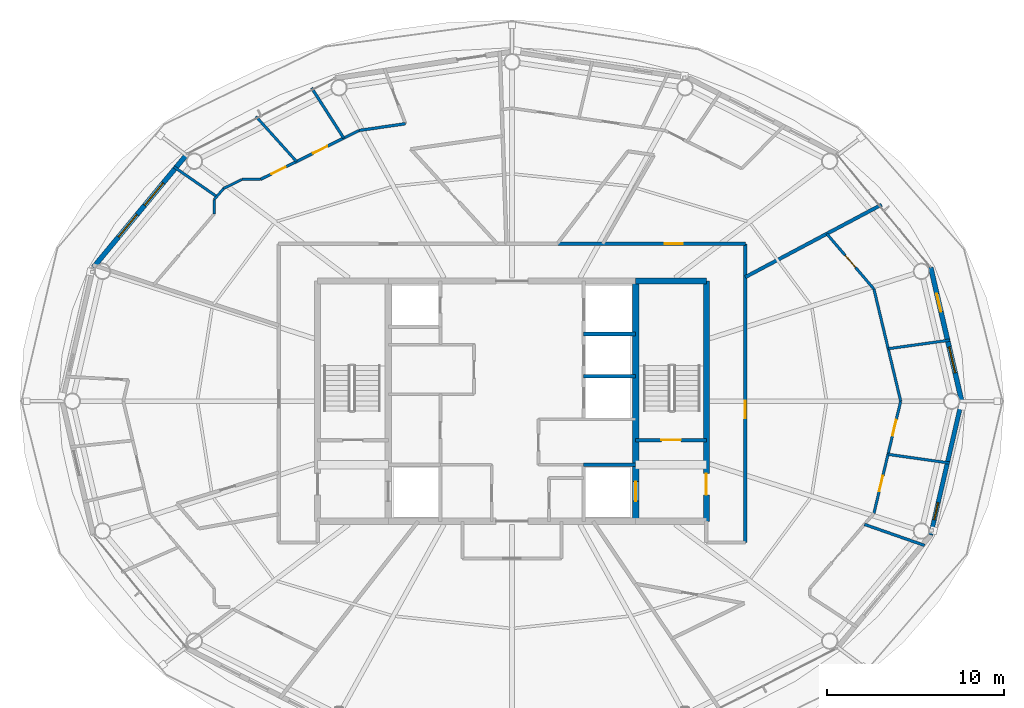
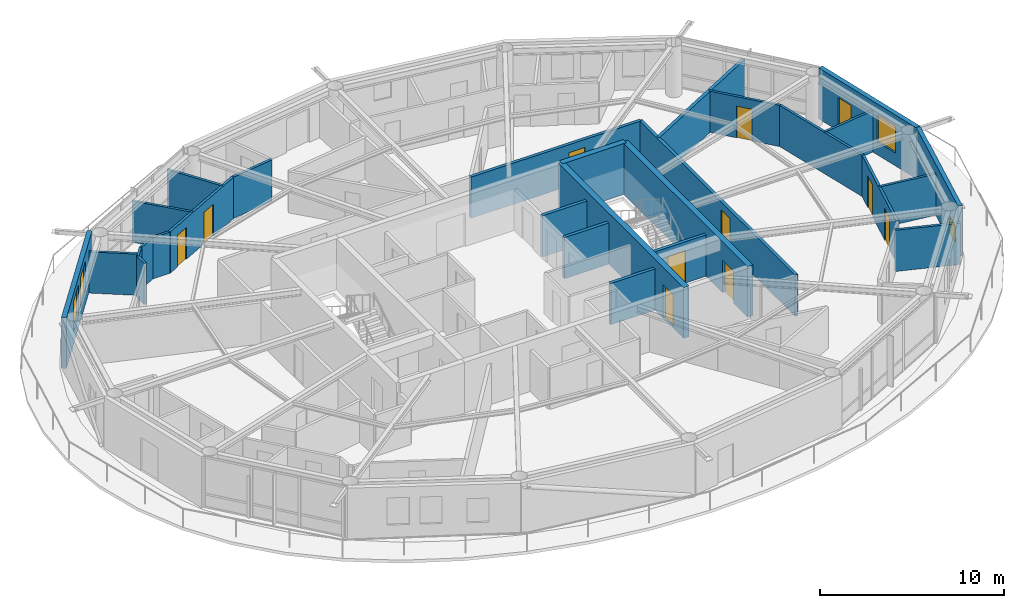
# One storey, part 18 of 22: 28 walls, 11 doors, 4 windows, 15 openings.
"""IFC4 building model written with IfcOpenShell, lengths in metres."""

from ifc_helpers import new_model, si_unit, direction, frame, frame_2d, origin, place, context, subcontext, project, spatial, rectangle, extrude, material, layer, layer_set, type_object, element, fill, save


model = new_model("IFC4")

# Units and contexts
model_context = context("Model", 3, precision=1e-05, world=origin(), true_north=direction((0.0, 1.0)))
body_context = subcontext(model_context, "Body", "Model", "MODEL_VIEW")
ifc_project = project(units=[si_unit("LENGTHUNIT", "METRE"), si_unit("AREAUNIT", "SQUARE_METRE"), si_unit("VOLUMEUNIT", "CUBIC_METRE"), si_unit("PLANEANGLEUNIT", "RADIAN"), si_unit("MASSUNIT", "GRAM", prefix="KILO")], contexts=[model_context])

# Site, building, storey
site_placement = place(None, origin())
site = spatial("IfcSite", under=ifc_project, at=site_placement, CompositionType="ELEMENT")
building_placement = place(site_placement, origin())
building = spatial("IfcBuilding", under=site, at=building_placement, Name="Sarneth Arch Tower", CompositionType="ELEMENT")
storey_placement = place(building_placement, frame((0.0, 0.0, 291.0)))
storey = spatial("IfcBuildingStorey", under=building, at=storey_placement, Name="L75", CompositionType="ELEMENT", Elevation=291.0)

# Wall
ifc_material_1 = material(Name="Concrete C50/60", Category="concrete")
ifc_layer_1 = layer(ifc_material_1, 0.35009765625)
ifc_layer_set_1 = layer_set([ifc_layer_1], Name="Concrete C50/60")
wall_type_1 = type_object("IfcWallType", Name="WALL-CORE-350", PredefinedType="SHEAR", material=ifc_layer_set_1)
wall_1_placement = place(storey_placement, frame((55.0, 48.800048828125, 0.0), z_axis=(0.0, 0.0, 1.0), x_axis=(1.0, 0.0, 0.0)))
element("IfcWall", 1, at=wall_1_placement, inside=storey, type_object=wall_type_1, Name="L75 Core shear wall N-E", PredefinedType="SHEAR", context=body_context, shape_type="SweptSolid", body=[
    extrude(rectangle(XDim=4.0, YDim=0.35009765625, at=frame_2d((2.0, 0.0))), origin(), (0.0, 0.0, 1.0), 3.3701171875),
])

# Wall, opening, door
wall_2_placement = place(storey_placement, frame((59.0, 35.199951171875, 0.0), z_axis=(0.0, 0.0, 1.0), x_axis=(0.0, 1.0, 0.0)))
wall_2 = element("IfcWall", 2, at=wall_2_placement, inside=storey, type_object=wall_type_1, Name="L75 Core shear wall E", PredefinedType="SHEAR", context=body_context, shape_type="SweptSolid", body=[
    extrude(rectangle(XDim=13.60009765625, YDim=0.35009765625, at=frame_2d((6.800048828125, 0.0))), origin(), (0.0, 0.0, 1.0), 3.3701171875),
])
opening_1_placement = place(wall_2_placement, frame((1.5, 0.0, 0.0)))
opening_1 = element("IfcOpeningElement", 3, at=opening_1_placement, cuts=wall_2, Name="Opening FD-02", PredefinedType="OPENING", context=body_context, shape_type="SweptSolid", body=[
    extrude(rectangle(XDim=1.199951171875, YDim=2.14990234375, at=frame_2d((0.60009765625, 1.074951171875))), frame((0.0, 0.18505859375, 0.0), z_axis=(0.0, -1.0, 0.0), x_axis=(1.0, 0.0, 0.0)), (0.0, 0.0, 1.0), 0.3701171875),
])
ifc_material_2 = material(Name="Galvanised Steel S275 fire door set", Category="steel")
door_type_1 = type_object("IfcDoorType", Name="DR-FD90-1200", OperationType="SINGLE_SWING_LEFT", PredefinedType="DOOR", material=ifc_material_2)
door_1_placement = place(opening_1_placement, origin())
door_1 = element("IfcDoor", 4, at=door_1_placement, inside=storey, type_object=door_type_1, Name="L75 Firefighting lobby 2 exit door", OperationType="SINGLE_SWING_RIGHT", OverallHeight=2.14990234375, OverallWidth=1.199951171875, PredefinedType="DOOR", context=body_context, shape_type="SweptSolid", body=[
    extrude(rectangle(XDim=1.199951171875, YDim=2.14990234375, at=frame_2d((0.60009765625, 1.074951171875))), frame((0.0, 0.02490234375, 0.0), z_axis=(0.0, -1.0, 0.0), x_axis=(1.0, 0.0, 0.0)), (0.0, 0.0, 1.0), 0.050048828125),
])
fill(opening_1, door_1)

wall_3_placement = place(storey_placement, frame((55.0, 35.199951171875, 0.0), z_axis=(0.0, 0.0, 1.0), x_axis=(0.0, 1.0, 0.0)))
wall_3 = element("IfcWall", 5, at=wall_3_placement, inside=storey, type_object=wall_type_1, Name="L75 Core shear wall WEB-E", PredefinedType="SHEAR", context=body_context, shape_type="SweptSolid", body=[
    extrude(rectangle(XDim=13.60009765625, YDim=0.35009765625, at=frame_2d((6.800048828125, 0.0))), origin(), (0.0, 0.0, 1.0), 3.3701171875),
])
opening_2_placement = place(wall_3_placement, frame((1.14990234375, 0.0, 0.0)))
opening_2 = element("IfcOpeningElement", 6, at=opening_2_placement, cuts=wall_3, Name="Opening LD-1", PredefinedType="OPENING", context=body_context, shape_type="SweptSolid", body=[
    extrude(rectangle(XDim=1.10009765625, YDim=2.199951171875, at=frame_2d((0.550048828125, 1.10009765625))), frame((0.0, 0.18505859375, 0.0), z_axis=(0.0, -1.0, 0.0), x_axis=(1.0, 0.0, 0.0)), (0.0, 0.0, 1.0), 0.3701171875),
])
ifc_material_3 = material(Name="Brushed Stainless Steel 304 lift landing door", Category="steel")
door_type_2 = type_object("IfcDoorType", Name="DR-LIFT-SLIDE-1100", OperationType="SLIDING_TO_LEFT", PredefinedType="DOOR", material=ifc_material_3)
door_2_placement = place(opening_2_placement, origin())
door_2 = element("IfcDoor", 7, at=door_2_placement, inside=storey, type_object=door_type_2, Name="L75 Firefighting lift landing door FL-2", OperationType="SLIDING_TO_RIGHT", OverallHeight=2.199951171875, OverallWidth=1.10009765625, PredefinedType="DOOR", context=body_context, shape_type="SweptSolid", body=[
    extrude(rectangle(XDim=1.10009765625, YDim=2.199951171875, at=frame_2d((0.550048828125, 1.10009765625))), frame((0.0, 0.02490234375, 0.0), z_axis=(0.0, -1.0, 0.0), x_axis=(1.0, 0.0, 0.0)), (0.0, 0.0, 1.0), 0.050048828125),
])
fill(opening_2, door_2)

ifc_material_4 = material(Name="Double steel-stud corridor fire wall", Category="steel")
ifc_layer_2 = layer(ifc_material_4, 0.18994140625)
ifc_layer_set_2 = layer_set([ifc_layer_2], Name="Double steel-stud corridor fire wall")
wall_type_2 = type_object("IfcWallType", Name="WALL-CORR-190", PredefinedType="PARTITIONING", material=ifc_layer_set_2)
wall_4_placement = place(storey_placement, frame((61.199951171875, 50.89990234375, 0.0), z_axis=(0.0, 0.0, 1.0), x_axis=(0.0, -1.0, 0.0)))
wall_4 = element("IfcWall", 8, at=wall_4_placement, inside=storey, type_object=wall_type_2, Name="L75 Interior partition W-L75-TP-013", PredefinedType="PARTITIONING", context=body_context, shape_type="SweptSolid", body=[
    extrude(rectangle(XDim=16.89990234375, YDim=0.18994140625, at=frame_2d((8.449951171875, 0.0))), origin(), (0.0, 0.0, 1.0), 2.72998046875),
])
opening_3_placement = place(wall_4_placement, frame((8.87255859375, 0.0, 0.0)))
opening_3 = element("IfcOpeningElement", 9, at=opening_3_placement, cuts=wall_4, Name="Opening FD-08", PredefinedType="OPENING", context=body_context, shape_type="SweptSolid", body=[
    extrude(rectangle(XDim=1.0, YDim=2.199951171875, at=frame_2d((0.5, 1.10009765625))), frame((0.0, 0.10498046875, 0.0), z_axis=(0.0, -1.0, 0.0), x_axis=(1.0, 0.0, 0.0)), (0.0, 0.0, 1.0), 0.2099609375),
])
ifc_material_5 = material(Name="Hardwood timber acoustic fire door", Category="wood")
door_type_3 = type_object("IfcDoorType", Name="DR-FD60-1000", OperationType="SINGLE_SWING_LEFT", PredefinedType="DOOR", material=ifc_material_5)
door_3_placement = place(opening_3_placement, origin())
door_3 = element("IfcDoor", 10, at=door_3_placement, inside=storey, type_object=door_type_3, Name="L75 Interior door DR-L75-U5-ENT", OperationType="SINGLE_SWING_LEFT", OverallHeight=2.199951171875, OverallWidth=1.0, PredefinedType="DOOR", context=body_context, shape_type="SweptSolid", body=[
    extrude(rectangle(XDim=1.0, YDim=2.199951171875, at=frame_2d((0.5, 1.10009765625))), frame((0.0, 0.02490234375, 0.0), z_axis=(0.0, -1.0, 0.0), x_axis=(1.0, 0.0, 0.0)), (0.0, 0.0, 1.0), 0.050048828125),
])
fill(opening_3, door_3)

wall_5_placement = place(storey_placement, frame((50.515380859375, 50.89990234375, 0.0), z_axis=(0.0, 0.0, 1.0), x_axis=(1.0, 0.0, 0.0)))
wall_5 = element("IfcWall", 11, at=wall_5_placement, inside=storey, type_object=wall_type_2, Name="L75 Interior partition W-L75-TP-002", PredefinedType="PARTITIONING", context=body_context, shape_type="SweptSolid", body=[
    extrude(rectangle(XDim=10.6845703125, YDim=0.18994140625, at=frame_2d((5.34228515625, 0.0))), origin(), (0.0, 0.0, 1.0), 2.72998046875),
])
opening_4_placement = place(wall_5_placement, frame((6.135498046875, 0.0, 0.0)))
opening_4 = element("IfcOpeningElement", 12, at=opening_4_placement, cuts=wall_5, Name="Opening FD-08", PredefinedType="OPENING", context=body_context, shape_type="SweptSolid", body=[
    extrude(rectangle(XDim=1.0, YDim=2.199951171875, at=frame_2d((0.5, 1.10009765625))), frame((0.0, 0.10498046875, 0.0), z_axis=(0.0, -1.0, 0.0), x_axis=(1.0, 0.0, 0.0)), (0.0, 0.0, 1.0), 0.2099609375),
])
door_4_placement = place(opening_4_placement, origin())
door_4 = element("IfcDoor", 13, at=door_4_placement, inside=storey, type_object=door_type_3, Name="L75 Interior door DR-L75-U1-ENT", OperationType="SINGLE_SWING_LEFT", OverallHeight=2.199951171875, OverallWidth=1.0, PredefinedType="DOOR", context=body_context, shape_type="SweptSolid", body=[
    extrude(rectangle(XDim=1.0, YDim=2.199951171875, at=frame_2d((0.5, 1.10009765625))), frame((0.0, 0.02490234375, 0.0), z_axis=(0.0, -1.0, 0.0), x_axis=(1.0, 0.0, 0.0)), (0.0, 0.0, 1.0), 0.050048828125),
])
fill(opening_4, door_4)

# Wall, opening, window
ifc_material_6 = material(Name="Extruded terracotta rainscreen on Concrete C40/50 backing", Category="masonry")
ifc_layer_3 = layer(ifc_material_6, 0.25)
ifc_layer_set_3 = layer_set([ifc_layer_3], Name="Extruded terracotta rainscreen on Concrete C40/50 backing")
wall_type_3 = type_object("IfcWallType", Name="WALL-EXT-SPAND-250", PredefinedType="SOLIDWALL", material=ifc_layer_set_3)
wall_6_placement = place(storey_placement, frame((71.69384765625, 34.430419921875, 0.0), z_axis=(0.0, 0.0, 1.0), x_axis=(0.225635078214, 0.974211892495, 0.0)))
wall_6 = element("IfcWall", 14, at=wall_6_placement, inside=storey, type_object=wall_type_3, Name="L75 Terracotta perimeter wall 16", PredefinedType="SOLIDWALL", context=body_context, shape_type="SweptSolid", body=[
    extrude(rectangle(XDim=7.77001953125, YDim=0.25, at=frame_2d((3.885009765625, 0.0))), origin(), (0.0, 0.0, 1.0), 3.3701171875),
])
opening_5_placement = place(wall_6_placement, frame((0.877685546875, 0.0, 0.35009765625)))
opening_5 = element("IfcOpeningElement", 15, at=opening_5_placement, cuts=wall_6, Name="Opening W-14", PredefinedType="OPENING", context=body_context, shape_type="SweptSolid", body=[
    extrude(rectangle(XDim=1.0, YDim=1.050048828125, at=frame_2d((0.5, 0.52490234375))), frame((0.0, 0.135009765625, 0.0), z_axis=(0.0, -1.0, 0.0), x_axis=(1.0, 0.0, 0.0)), (0.0, 0.0, 1.0), 0.27001953125),
])
ifc_material_7 = material(Name="Thermally broken Aluminium 6063-T6 and low-e laminated IGU", Category="aluminium")
window_type_1 = type_object("IfcWindowType", Name="WIN-TWR-1000x1050", PartitioningType="SINGLE_PANEL", PredefinedType="WINDOW", material=ifc_material_7)
window_1_placement = place(opening_5_placement, origin())
window_1 = element("IfcWindow", 16, at=window_1_placement, inside=storey, type_object=window_type_1, Name="L75 Dwelling bedroom window 04", OverallHeight=1.050048828125, OverallWidth=1.0, PartitioningType="SINGLE_PANEL", PredefinedType="WINDOW", context=body_context, shape_type="SweptSolid", body=[
    extrude(rectangle(XDim=1.0, YDim=1.050048828125, at=frame_2d((0.5, 0.52490234375))), frame((0.0, 0.030029296875, 0.0), z_axis=(0.0, -1.0, 0.0), x_axis=(1.0, 0.0, 0.0)), (0.0, 0.0, 1.0), 0.06005859375),
])
fill(opening_5, window_1)

# Wall, openings, door, window
ifc_material_8 = material(Name="Extruded terracotta rainscreen on Concrete C40/50 backing", Category="masonry")
ifc_layer_4 = layer(ifc_material_8, 0.280029296875)
ifc_layer_set_4 = layer_set([ifc_layer_4], Name="Extruded terracotta rainscreen on Concrete C40/50 backing")
wall_type_4 = type_object("IfcWallType", Name="WALL-EXT-TERRA-280", PredefinedType="SOLIDWALL", material=ifc_layer_set_4)
wall_7_placement = place(storey_placement, frame((73.447021484375, 42.0, 0.0), z_axis=(0.0, 0.0, 1.0), x_axis=(-0.225635078214, 0.974211892495, 0.0)))
wall_7 = element("IfcWall", 17, at=wall_7_placement, inside=storey, type_object=wall_type_4, Name="L75 Terracotta perimeter wall 01", PredefinedType="SOLIDWALL", context=body_context, shape_type="SweptSolid", body=[
    extrude(rectangle(XDim=7.77001953125, YDim=0.280029296875, at=frame_2d((3.885009765625, 0.0))), origin(), (0.0, 0.0, 1.0), 3.3701171875),
])
opening_6_placement = place(wall_7_placement, frame((1.646728515625, 0.0, 0.85009765625)))
opening_6 = element("IfcOpeningElement", 18, at=opening_6_placement, cuts=wall_7, Name="Opening W-07", PredefinedType="OPENING", context=body_context, shape_type="SweptSolid", body=[
    extrude(rectangle(XDim=1.5, YDim=1.800048828125, at=frame_2d((0.75, 0.89990234375))), frame((0.0, 0.14990234375, 0.0), z_axis=(0.0, -1.0, 0.0), x_axis=(1.0, 0.0, 0.0)), (0.0, 0.0, 1.0), 0.300048828125),
])
opening_7_placement = place(wall_7_placement, frame((5.192138671875, 0.0, 0.0)))
opening_7 = element("IfcOpeningElement", 19, at=opening_7_placement, cuts=wall_7, Name="Opening BD-4", PredefinedType="OPENING", context=body_context, shape_type="SweptSolid", body=[
    extrude(rectangle(XDim=1.050048828125, YDim=2.199951171875, at=frame_2d((0.52490234375, 1.10009765625))), frame((0.0, 0.14990234375, 0.0), z_axis=(0.0, -1.0, 0.0), x_axis=(1.0, 0.0, 0.0)), (0.0, 0.0, 1.0), 0.300048828125),
])
ifc_material_9 = material(Name="Thermally broken Aluminium 6063-T6 and laminated safety glass", Category="aluminium")
door_type_4 = type_object("IfcDoorType", Name="DR-BALC-GLZ-1050", OperationType="SINGLE_SWING_RIGHT", PredefinedType="DOOR", material=ifc_material_9)
door_5_placement = place(opening_7_placement, origin())
door_5 = element("IfcDoor", 20, at=door_5_placement, inside=storey, type_object=door_type_4, Name="L75 Balcony glazed door 01", OperationType="SINGLE_SWING_RIGHT", OverallHeight=2.199951171875, OverallWidth=1.050048828125, PredefinedType="DOOR", context=body_context, shape_type="SweptSolid", body=[
    extrude(rectangle(XDim=1.050048828125, YDim=2.199951171875, at=frame_2d((0.52490234375, 1.10009765625))), frame((0.0, 0.02490234375, 0.0), z_axis=(0.0, -1.0, 0.0), x_axis=(1.0, 0.0, 0.0)), (0.0, 0.0, 1.0), 0.050048828125),
])
fill(opening_7, door_5)
ifc_material_10 = material(Name="Thermally broken Aluminium 6063-T6 and low-e laminated IGU", Category="aluminium")
window_type_2 = type_object("IfcWindowType", Name="WIN-TWR-1500x1800", PartitioningType="SINGLE_PANEL", PredefinedType="WINDOW", material=ifc_material_10)
window_2_placement = place(opening_6_placement, origin())
window_2 = element("IfcWindow", 21, at=window_2_placement, inside=storey, type_object=window_type_2, Name="L75 Exterior window 01A", OverallHeight=1.800048828125, OverallWidth=1.5, PartitioningType="SINGLE_PANEL", PredefinedType="WINDOW", context=body_context, shape_type="SweptSolid", body=[
    extrude(rectangle(XDim=1.5, YDim=1.800048828125, at=frame_2d((0.75, 0.89990234375))), frame((0.0, 0.030029296875, 0.0), z_axis=(0.0, -1.0, 0.0), x_axis=(1.0, 0.0, 0.0)), (0.0, 0.0, 1.0), 0.06005859375),
])
fill(opening_6, window_2)

# Wall, openings, windows
wall_8_placement = place(storey_placement, frame((29.617431640625, 55.986572265625, 0.0), z_axis=(0.0, 0.0, 1.0), x_axis=(-0.63761509934, -0.770355103243, 0.0)))
wall_8 = element("IfcWall", 22, at=wall_8_placement, inside=storey, type_object=wall_type_4, Name="L75 Terracotta perimeter wall 07", PredefinedType="SOLIDWALL", context=body_context, shape_type="SweptSolid", body=[
    extrude(rectangle(XDim=8.329833984375, YDim=0.280029296875, at=frame_2d((4.1650390625, 0.0))), origin(), (0.0, 0.0, 1.0), 3.3701171875),
])
opening_8_placement = place(wall_8_placement, frame((2.126220703125, 0.0, 0.85009765625)))
opening_8 = element("IfcOpeningElement", 23, at=opening_8_placement, cuts=wall_8, Name="Opening W-05", PredefinedType="OPENING", context=body_context, shape_type="SweptSolid", body=[
    extrude(rectangle(XDim=1.64990234375, YDim=2.0, at=frame_2d((0.824951171875, 1.0))), frame((0.0, 0.14990234375, 0.0), z_axis=(0.0, -1.0, 0.0), x_axis=(1.0, 0.0, 0.0)), (0.0, 0.0, 1.0), 0.300048828125),
])
opening_9_placement = place(wall_8_placement, frame((4.4462890625, 0.0, 0.85009765625)))
opening_9 = element("IfcOpeningElement", 24, at=opening_9_placement, cuts=wall_8, Name="Opening W-05", PredefinedType="OPENING", context=body_context, shape_type="SweptSolid", body=[
    extrude(rectangle(XDim=1.64990234375, YDim=2.0, at=frame_2d((0.824951171875, 1.0))), frame((0.0, 0.14990234375, 0.0), z_axis=(0.0, -1.0, 0.0), x_axis=(1.0, 0.0, 0.0)), (0.0, 0.0, 1.0), 0.300048828125),
])
ifc_material_11 = material(Name="Thermally broken Aluminium 6063-T6 and low-e laminated IGU", Category="aluminium")
window_type_3 = type_object("IfcWindowType", Name="WIN-TWR-1650x2000", PartitioningType="DOUBLE_PANEL_VERTICAL", PredefinedType="WINDOW", material=ifc_material_11)
window_3_placement = place(opening_8_placement, origin())
window_3 = element("IfcWindow", 25, at=window_3_placement, inside=storey, type_object=window_type_3, Name="L75 Exterior window 07A", OverallHeight=2.0, OverallWidth=1.64990234375, PartitioningType="SINGLE_PANEL", PredefinedType="WINDOW", context=body_context, shape_type="SweptSolid", body=[
    extrude(rectangle(XDim=1.64990234375, YDim=2.0, at=frame_2d((0.824951171875, 1.0))), frame((0.0, 0.030029296875, 0.0), z_axis=(0.0, -1.0, 0.0), x_axis=(1.0, 0.0, 0.0)), (0.0, 0.0, 1.0), 0.06005859375),
])
fill(opening_8, window_3)
window_4_placement = place(opening_9_placement, origin())
window_4 = element("IfcWindow", 26, at=window_4_placement, inside=storey, type_object=window_type_3, Name="L75 Exterior window 07B", OverallHeight=2.0, OverallWidth=1.64990234375, PartitioningType="SINGLE_PANEL", PredefinedType="WINDOW", context=body_context, shape_type="SweptSolid", body=[
    extrude(rectangle(XDim=1.64990234375, YDim=2.0, at=frame_2d((0.824951171875, 1.0))), frame((0.0, 0.030029296875, 0.0), z_axis=(0.0, -1.0, 0.0), x_axis=(1.0, 0.0, 0.0)), (0.0, 0.0, 1.0), 0.06005859375),
])
fill(opening_9, window_4)

# Walls
ifc_material_12 = material(Name="Apartment internal stud partition", Category="gypsum")
ifc_layer_5 = layer(ifc_material_12, 0.139892578125)
ifc_layer_set_5 = layer_set([ifc_layer_5], Name="Apartment internal stud partition")
wall_type_5 = type_object("IfcWallType", Name="WALL-PART-140", PredefinedType="PARTITIONING", material=ifc_layer_set_5)
wall_9_placement = place(storey_placement, frame((32.710693359375, 54.550048828125, 0.0), z_axis=(0.0, 0.0, 1.0), x_axis=(-0.895409226325, -0.445244109912, 0.0)))
element("IfcWall", 27, at=wall_9_placement, inside=storey, type_object=wall_type_5, Name="L75 Interior partition W-L75-TP-045", PredefinedType="PARTITIONING", context=body_context, shape_type="SweptSolid", body=[
    extrude(rectangle(XDim=1.14111328125, YDim=0.139892578125, at=frame_2d((0.570556640625, 0.0))), origin(), (0.0, 0.0, 1.0), 2.72998046875),
])
wall_10_placement = place(storey_placement, frame((33.773193359375, 54.550048828125, 0.0), z_axis=(0.0, 0.0, 1.0), x_axis=(-1.0, 0.0, 0.0)))
element("IfcWall", 28, at=wall_10_placement, inside=storey, type_object=wall_type_5, Name="L75 Interior partition W-L75-TP-044", PredefinedType="PARTITIONING", context=body_context, shape_type="SweptSolid", body=[
    extrude(rectangle(XDim=1.0625, YDim=0.139892578125, at=frame_2d((0.53125, 0.0))), origin(), (0.0, 0.0, 1.0), 2.72998046875),
])
wall_11_placement = place(storey_placement, frame((31.68896484375, 54.0419921875, 0.0), z_axis=(0.0, 0.0, 1.0), x_axis=(-0.649191857323, -0.760624698774, 0.0)))
element("IfcWall", 29, at=wall_11_placement, inside=storey, type_object=wall_type_5, Name="L75 Interior partition W-L75-TP-046", PredefinedType="PARTITIONING", context=body_context, shape_type="SweptSolid", body=[
    extrude(rectangle(XDim=0.830322265625, YDim=0.139892578125, at=frame_2d((0.4150390625, 0.0))), origin(), (0.0, 0.0, 1.0), 2.72998046875),
])

# Wall, opening, door
ifc_material_13 = material(Name="Acoustic gypsum stud partition", Category="gypsum")
ifc_layer_6 = layer(ifc_material_13, 0.14990234375)
ifc_layer_set_6 = layer_set([ifc_layer_6], Name="Acoustic gypsum stud partition")
wall_type_6 = type_object("IfcWallType", Name="WALL-PART-150", PredefinedType="PARTITIONING", material=ifc_layer_set_6)
wall_12_placement = place(storey_placement, frame((65.8125, 51.47119140625, 0.0), z_axis=(0.0, 0.0, 1.0), x_axis=(0.649224667474, -0.760596694145, 0.0)))
wall_12 = element("IfcWall", 30, at=wall_12_placement, inside=storey, type_object=wall_type_6, Name="L75 Interior partition W-L75-TP-087", PredefinedType="PARTITIONING", context=body_context, shape_type="SweptSolid", body=[
    extrude(rectangle(XDim=4.110107421875, YDim=0.14990234375, at=frame_2d((2.05517578125, 0.0))), origin(), (0.0, 0.0, 1.0), 2.72998046875),
])
opening_10_placement = place(wall_12_placement, frame((1.60498046875, 0.0, 0.0)))
opening_10 = element("IfcOpeningElement", 31, at=opening_10_placement, cuts=wall_12, Name="Opening ID-01", PredefinedType="OPENING", context=body_context, shape_type="SweptSolid", body=[
    extrude(rectangle(XDim=0.89990234375, YDim=2.10009765625, at=frame_2d((0.449951171875, 1.050048828125))), frame((0.0, 0.0849609375, 0.0), z_axis=(0.0, -1.0, 0.0), x_axis=(1.0, 0.0, 0.0)), (0.0, 0.0, 1.0), 0.169921875),
])
ifc_material_14 = material(Name="Engineered hardwood flush door", Category="wood")
door_type_5 = type_object("IfcDoorType", Name="DR-INT-900", OperationType="SINGLE_SWING_LEFT", PredefinedType="DOOR", material=ifc_material_14)
door_6_placement = place(opening_10_placement, origin())
door_6 = element("IfcDoor", 32, at=door_6_placement, inside=storey, type_object=door_type_5, Name="L75 Interior door DR-L75-U5-BED3", OperationType="SINGLE_SWING_LEFT", OverallHeight=2.10009765625, OverallWidth=0.89990234375, PredefinedType="DOOR", context=body_context, shape_type="SweptSolid", body=[
    extrude(rectangle(XDim=0.89990234375, YDim=2.10009765625, at=frame_2d((0.449951171875, 1.050048828125))), frame((0.0, 0.02490234375, 0.0), z_axis=(0.0, -1.0, 0.0), x_axis=(1.0, 0.0, 0.0)), (0.0, 0.0, 1.0), 0.050048828125),
])
fill(opening_10, door_6)

# Walls
wall_13_placement = place(storey_placement, frame((69.28759765625, 44.96728515625, 0.0), z_axis=(0.0, 0.0, 1.0), x_axis=(0.990426984163, 0.138037636323, 0.0)))
element("IfcWall", 33, at=wall_13_placement, inside=storey, type_object=wall_type_6, Name="L75 Interior partition W-L75-TP-091", PredefinedType="PARTITIONING", context=body_context, shape_type="SweptSolid", body=[
    extrude(rectangle(XDim=3.51611328125, YDim=0.14990234375, at=frame_2d((1.758056640625, 0.0))), origin(), (0.0, 0.0, 1.0), 2.72998046875),
])
wall_14_placement = place(storey_placement, frame((72.7587890625, 38.4990234375, 0.0), z_axis=(0.0, 0.0, 1.0), x_axis=(-0.990152617328, 0.139992122627, 0.0)))
element("IfcWall", 34, at=wall_14_placement, inside=storey, type_object=wall_type_6, Name="L75 Interior partition W-L75-TP-090", PredefinedType="PARTITIONING", context=body_context, shape_type="SweptSolid", body=[
    extrude(rectangle(XDim=3.515869140625, YDim=0.14990234375, at=frame_2d((1.7578125, 0.0))), origin(), (0.0, 0.0, 1.0), 2.72998046875),
])
wall_15_placement = place(storey_placement, frame((68.48095703125, 48.344970703125, 0.0), z_axis=(0.0, 0.0, 1.0), x_axis=(0.232298462197, -0.972644551962, 0.0)))
element("IfcWall", 35, at=wall_15_placement, inside=storey, type_object=wall_type_6, Name="L75 Interior partition W-L75-TP-088", PredefinedType="PARTITIONING", context=body_context, shape_type="SweptSolid", body=[
    extrude(rectangle(XDim=6.5234375, YDim=0.14990234375, at=frame_2d((3.26171875, 0.0))), origin(), (0.0, 0.0, 1.0), 2.72998046875),
])

# Wall, openings, doors
wall_16_placement = place(storey_placement, frame((69.996337890625, 42.0, 0.0), z_axis=(0.0, 0.0, 1.0), x_axis=(-0.232298462197, -0.972644551962, 0.0)))
wall_16 = element("IfcWall", 36, at=wall_16_placement, inside=storey, type_object=wall_type_6, Name="L75 Interior partition W-L75-TP-083", PredefinedType="PARTITIONING", context=body_context, shape_type="SweptSolid", body=[
    extrude(rectangle(XDim=6.5234375, YDim=0.14990234375, at=frame_2d((3.26171875, 0.0))), origin(), (0.0, 0.0, 1.0), 2.72998046875),
])
opening_11_placement = place(wall_16_placement, frame((4.34228515625, 0.0, 0.0)))
opening_11 = element("IfcOpeningElement", 37, at=opening_11_placement, cuts=wall_16, Name="Opening ID-01", PredefinedType="OPENING", context=body_context, shape_type="SweptSolid", body=[
    extrude(rectangle(XDim=0.89990234375, YDim=2.10009765625, at=frame_2d((0.449951171875, 1.050048828125))), frame((0.0, 0.0849609375, 0.0), z_axis=(0.0, -1.0, 0.0), x_axis=(1.0, 0.0, 0.0)), (0.0, 0.0, 1.0), 0.169921875),
])
opening_12_placement = place(wall_16_placement, frame((1.0966796875, 0.0, 0.0)))
opening_12 = element("IfcOpeningElement", 38, at=opening_12_placement, cuts=wall_16, Name="Opening ID-01", PredefinedType="OPENING", context=body_context, shape_type="SweptSolid", body=[
    extrude(rectangle(XDim=0.89990234375, YDim=2.10009765625, at=frame_2d((0.449951171875, 1.050048828125))), frame((0.0, 0.0849609375, 0.0), z_axis=(0.0, -1.0, 0.0), x_axis=(1.0, 0.0, 0.0)), (0.0, 0.0, 1.0), 0.169921875),
])
door_7_placement = place(opening_11_placement, origin())
door_7 = element("IfcDoor", 39, at=door_7_placement, inside=storey, type_object=door_type_5, Name="L75 Interior door DR-L75-U5-BED1", OperationType="SINGLE_SWING_LEFT", OverallHeight=2.10009765625, OverallWidth=0.89990234375, PredefinedType="DOOR", context=body_context, shape_type="SweptSolid", body=[
    extrude(rectangle(XDim=0.89990234375, YDim=2.10009765625, at=frame_2d((0.449951171875, 1.050048828125))), frame((0.0, 0.02490234375, 0.0), z_axis=(0.0, -1.0, 0.0), x_axis=(1.0, 0.0, 0.0)), (0.0, 0.0, 1.0), 0.050048828125),
])
fill(opening_11, door_7)
door_8_placement = place(opening_12_placement, origin())
door_8 = element("IfcDoor", 40, at=door_8_placement, inside=storey, type_object=door_type_5, Name="L75 Interior door DR-L75-U5-BED2", OperationType="SINGLE_SWING_LEFT", OverallHeight=2.10009765625, OverallWidth=0.89990234375, PredefinedType="DOOR", context=body_context, shape_type="SweptSolid", body=[
    extrude(rectangle(XDim=0.89990234375, YDim=2.10009765625, at=frame_2d((0.449951171875, 1.050048828125))), frame((0.0, 0.02490234375, 0.0), z_axis=(0.0, -1.0, 0.0), x_axis=(1.0, 0.0, 0.0)), (0.0, 0.0, 1.0), 0.050048828125),
])
fill(opening_12, door_8)

# Walls
wall_17_placement = place(storey_placement, frame((35.807373046875, 55.560546875, 0.0), z_axis=(0.0, 0.0, 1.0), x_axis=(-0.668618761853, 0.743605373365, 0.0)))
element("IfcWall", 41, at=wall_17_placement, inside=storey, type_object=wall_type_6, Name="L75 Interior partition W-L75-TP-052", PredefinedType="PARTITIONING", context=body_context, shape_type="SweptSolid", body=[
    extrude(rectangle(XDim=3.431640625, YDim=0.14990234375, at=frame_2d((1.7158203125, 0.0))), origin(), (0.0, 0.0, 1.0), 2.72998046875),
])
wall_18_placement = place(storey_placement, frame((31.292724609375, 53.57763671875, 0.0), z_axis=(0.0, 0.0, 1.0), x_axis=(-0.821957300328, 0.569549116792, 0.0)))
element("IfcWall", 42, at=wall_18_placement, inside=storey, type_object=wall_type_6, Name="L75 Interior partition W-L75-TP-053", PredefinedType="PARTITIONING", context=body_context, shape_type="SweptSolid", body=[
    extrude(rectangle(XDim=2.956787109375, YDim=0.14990234375, at=frame_2d((1.478515625, 0.0))), origin(), (0.0, 0.0, 1.0), 2.72998046875),
])
wall_19_placement = place(storey_placement, frame((31.14990234375, 52.598876953125, 0.0), z_axis=(0.0, 0.0, 1.0), x_axis=(0.0, 1.0, 0.0)))
element("IfcWall", 43, at=wall_19_placement, inside=storey, type_object=wall_type_6, Name="L75 Interior partition W-L75-TP-048", PredefinedType="PARTITIONING", context=body_context, shape_type="SweptSolid", body=[
    extrude(rectangle(XDim=0.8115234375, YDim=0.14990234375, at=frame_2d((0.40576171875, 0.0))), origin(), (0.0, 0.0, 1.0), 2.72998046875),
])
ifc_material_15 = material(Name="Kitchen wet service chase wall", Category="gypsum")
ifc_layer_7 = layer(ifc_material_15, 0.159912109375)
ifc_layer_set_7 = layer_set([ifc_layer_7], Name="Kitchen wet service chase wall")
wall_type_7 = type_object("IfcWallType", Name="WALL-PLUMB-160", PredefinedType="PLUMBINGWALL", material=ifc_layer_set_7)
wall_20_placement = place(storey_placement, frame((71.348388671875, 33.836669921875, 0.0), z_axis=(0.0, 0.0, 1.0), x_axis=(-0.943978629209, 0.330006587202, 0.0)))
element("IfcWall", 44, at=wall_20_placement, inside=storey, type_object=wall_type_7, Name="L75 Interior partition W-L75-TP-089", PredefinedType="PLUMBINGWALL", context=body_context, shape_type="SweptSolid", body=[
    extrude(rectangle(XDim=3.605712890625, YDim=0.159912109375, at=frame_2d((1.802734375, 0.0))), origin(), (0.0, 0.0, 1.0), 2.72998046875),
])
wall_21_placement = place(storey_placement, frame((38.476806640625, 56.88671875, 0.0), z_axis=(0.0, 0.0, 1.0), x_axis=(-0.538850350107, 0.842401507709, 0.0)))
element("IfcWall", 45, at=wall_21_placement, inside=storey, type_object=wall_type_7, Name="L75 Interior partition W-L75-TP-051", PredefinedType="PLUMBINGWALL", context=body_context, shape_type="SweptSolid", body=[
    extrude(rectangle(XDim=3.373046875, YDim=0.159912109375, at=frame_2d((1.6865234375, 0.0))), origin(), (0.0, 0.0, 1.0), 2.72998046875),
])

# Wall, openings, doors
wall_22_placement = place(storey_placement, frame((33.773193359375, 54.5498046875, 0.0), z_axis=(0.0, 0.0, 1.0), x_axis=(0.895562239868, 0.444936258943, 0.0)))
wall_22 = element("IfcWall", 46, at=wall_22_placement, inside=storey, type_object=wall_type_7, Name="L75 Interior partition W-L75-TP-037", PredefinedType="PLUMBINGWALL", context=body_context, shape_type="SweptSolid", body=[
    extrude(rectangle(XDim=6.221923828125, YDim=0.159912109375, at=frame_2d((3.11083984375, 0.0))), origin(), (0.0, 0.0, 1.0), 2.72998046875),
])
opening_13_placement = place(wall_22_placement, frame((3.311279296875, 0.0, 0.0)))
opening_13 = element("IfcOpeningElement", 47, at=opening_13_placement, cuts=wall_22, Name="Opening ID-01", PredefinedType="OPENING", context=body_context, shape_type="SweptSolid", body=[
    extrude(rectangle(XDim=0.89990234375, YDim=2.10009765625, at=frame_2d((0.449951171875, 1.050048828125))), frame((0.0, 0.08984375, 0.0), z_axis=(0.0, -1.0, 0.0), x_axis=(1.0, 0.0, 0.0)), (0.0, 0.0, 1.0), 0.179931640625),
])
opening_14_placement = place(wall_22_placement, frame((0.685791015625, 0.0, 0.0)))
opening_14 = element("IfcOpeningElement", 48, at=opening_14_placement, cuts=wall_22, Name="Opening ID-01", PredefinedType="OPENING", context=body_context, shape_type="SweptSolid", body=[
    extrude(rectangle(XDim=0.89990234375, YDim=2.10009765625, at=frame_2d((0.449951171875, 1.050048828125))), frame((0.0, 0.08984375, 0.0), z_axis=(0.0, -1.0, 0.0), x_axis=(1.0, 0.0, 0.0)), (0.0, 0.0, 1.0), 0.179931640625),
])
door_9_placement = place(opening_13_placement, origin())
door_9 = element("IfcDoor", 49, at=door_9_placement, inside=storey, type_object=door_type_5, Name="L75 Interior door DR-L75-U2-STD", OperationType="SINGLE_SWING_LEFT", OverallHeight=2.10009765625, OverallWidth=0.89990234375, PredefinedType="DOOR", context=body_context, shape_type="SweptSolid", body=[
    extrude(rectangle(XDim=0.89990234375, YDim=2.10009765625, at=frame_2d((0.449951171875, 1.050048828125))), frame((0.0, 0.02490234375, 0.0), z_axis=(0.0, -1.0, 0.0), x_axis=(1.0, 0.0, 0.0)), (0.0, 0.0, 1.0), 0.050048828125),
])
fill(opening_13, door_9)
door_10_placement = place(opening_14_placement, origin())
door_10 = element("IfcDoor", 50, at=door_10_placement, inside=storey, type_object=door_type_5, Name="L75 Interior door DR-L75-U2-BED1", OperationType="SINGLE_SWING_LEFT", OverallHeight=2.10009765625, OverallWidth=0.89990234375, PredefinedType="DOOR", context=body_context, shape_type="SweptSolid", body=[
    extrude(rectangle(XDim=0.89990234375, YDim=2.10009765625, at=frame_2d((0.449951171875, 1.050048828125))), frame((0.0, 0.02490234375, 0.0), z_axis=(0.0, -1.0, 0.0), x_axis=(1.0, 0.0, 0.0)), (0.0, 0.0, 1.0), 0.050048828125),
])
fill(opening_14, door_10)

# Wall
wall_23_placement = place(storey_placement, frame((39.34521484375, 57.31787109375, 0.0), z_axis=(0.0, 0.0, 1.0), x_axis=(0.989530249601, 0.144325621857, 0.0)))
element("IfcWall", 51, at=wall_23_placement, inside=storey, type_object=wall_type_7, Name="L75 Interior partition W-L75-TP-039", PredefinedType="PLUMBINGWALL", context=body_context, shape_type="SweptSolid", body=[
    extrude(rectangle(XDim=2.6591796875, YDim=0.159912109375, at=frame_2d((1.32958984375, 0.0))), origin(), (0.0, 0.0, 1.0), 2.72998046875),
])

# Wall, opening, door
ifc_material_16 = material(Name="Aerated concrete blockwork C25/30", Category="masonry")
ifc_layer_8 = layer(ifc_material_16, 0.199951171875)
ifc_layer_set_8 = layer_set([ifc_layer_8], Name="Aerated concrete blockwork C25/30")
wall_type_8 = type_object("IfcWallType", Name="WALL-SHAFT-200", PredefinedType="SOLIDWALL", material=ifc_layer_set_8)
wall_24_placement = place(storey_placement, frame((55.0, 39.800048828125, 0.0), z_axis=(0.0, 0.0, 1.0), x_axis=(1.0, 0.0, 0.0)))
wall_24 = element("IfcWall", 52, at=wall_24_placement, inside=storey, type_object=wall_type_8, Name="L75 Interior partition W-L75-ST2-S", PredefinedType="SOLIDWALL", context=body_context, shape_type="SweptSolid", body=[
    extrude(rectangle(XDim=4.0, YDim=0.199951171875, at=frame_2d((2.0, 0.0))), origin(), (0.0, 0.0, 1.0), 2.72998046875),
])
opening_15_placement = place(wall_24_placement, frame((1.449951171875, 0.0, 0.0)))
opening_15 = element("IfcOpeningElement", 53, at=opening_15_placement, cuts=wall_24, Name="Opening FD-03", PredefinedType="OPENING", context=body_context, shape_type="SweptSolid", body=[
    extrude(rectangle(XDim=1.10009765625, YDim=2.14990234375, at=frame_2d((0.550048828125, 1.074951171875))), frame((0.0, 0.10986328125, 0.0), z_axis=(0.0, -1.0, 0.0), x_axis=(1.0, 0.0, 0.0)), (0.0, 0.0, 1.0), 0.219970703125),
])
ifc_material_17 = material(Name="Galvanised Steel S275 fire door set", Category="steel")
door_type_6 = type_object("IfcDoorType", Name="DR-FD90-1100", OperationType="SINGLE_SWING_LEFT", PredefinedType="DOOR", material=ifc_material_17)
door_11_placement = place(opening_15_placement, origin())
door_11 = element("IfcDoor", 54, at=door_11_placement, inside=storey, type_object=door_type_6, Name="L75 Interior door DR-L75-ST2", OperationType="SINGLE_SWING_RIGHT", OverallHeight=2.14990234375, OverallWidth=1.10009765625, PredefinedType="DOOR", context=body_context, shape_type="SweptSolid", body=[
    extrude(rectangle(XDim=1.10009765625, YDim=2.14990234375, at=frame_2d((0.550048828125, 1.074951171875))), frame((0.0, 0.02490234375, 0.0), z_axis=(0.0, -1.0, 0.0), x_axis=(1.0, 0.0, 0.0)), (0.0, 0.0, 1.0), 0.050048828125),
])
fill(opening_15, door_11)

# Walls
for number, where, z_axis, x_axis, name in (
    (55, (52.050048828125, 38.39990234375, 0.0), (0.0, 0.0, 1.0), (1.0, 0.0, 0.0), "L75 Interior partition W-L75-FL2-N"),
    (56, (52.050048828125, 43.419921875, 0.0), (0.0, 0.0, 1.0), (1.0, 0.0, 0.0), "L75 Interior partition W-L75-EB-DIV-4342"),
    (57, (52.050048828125, 45.800048828125, 0.0), (0.0, 0.0, 1.0), (1.0, 0.0, 0.0), "L75 Interior partition W-L75-EB-DIV-4580"),
):
    element("IfcWall", number, at=place(storey_placement, frame(where, z_axis=z_axis, x_axis=x_axis)), inside=storey, type_object=wall_type_8, Name=name, PredefinedType="SOLIDWALL", context=body_context, shape_type="SweptSolid", body=[
        extrude(rectangle(XDim=2.949951171875, YDim=0.199951171875, at=frame_2d((1.47509765625, 0.0))), origin(), (0.0, 0.0, 1.0), 2.72998046875),
    ])
ifc_material_18 = material(Name="Double steel-stud acoustic drywall", Category="steel")
ifc_layer_9 = layer(ifc_material_18, 0.199951171875)
ifc_layer_set_9 = layer_set([ifc_layer_9], Name="Double steel-stud acoustic drywall")
wall_type_9 = type_object("IfcWallType", Name="WALL-UNIT-200", PredefinedType="PARTITIONING", material=ifc_layer_set_9)
wall_25_placement = place(storey_placement, frame((68.909423828125, 53.117919921875, 0.0), z_axis=(0.0, 0.0, 1.0), x_axis=(-0.882939716422, -0.469486375909, 0.0)))
element("IfcWall", 58, at=wall_25_placement, inside=storey, type_object=wall_type_9, Name="L75 Interior partition W-L75-TP-031", PredefinedType="PARTITIONING", context=body_context, shape_type="SweptSolid", body=[
    extrude(rectangle(XDim=8.731689453125, YDim=0.199951171875, at=frame_2d((4.36572265625, 0.0))), origin(), (0.0, 0.0, 1.0), 2.72998046875),
])

save(model, "model.ifc")
